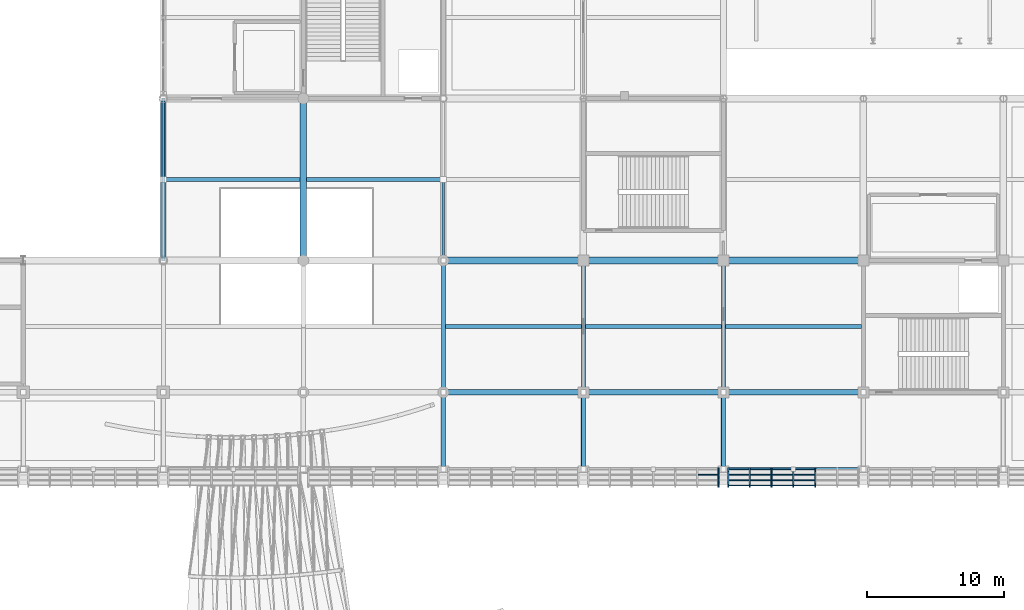
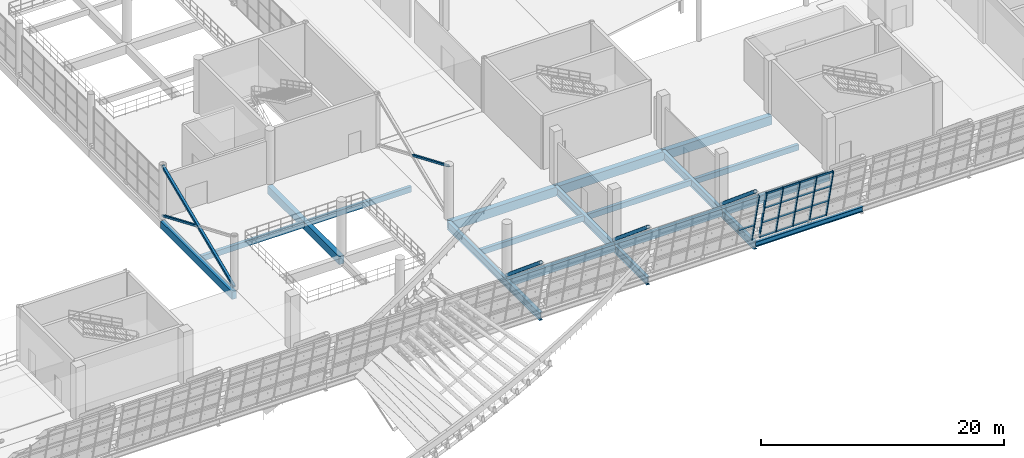
# One storey, part 48 of 175: 29 members, 17 beams, 2 elements without a shape of their own.
"""IFC4 building model written with IfcOpenShell, lengths in metres."""

from ifc_helpers import new_model, si_unit, direction, frame, origin, origin_2d, place, context, subcontext, project, spatial, rectangle, hollow_rectangle, hollow_circle, i_section, extrude, material, material_profile, profile_set, type_object, element, aggregate, save


model = new_model("IFC4")

# Units and contexts
model_context = context("Model", 3, precision=1e-05, world=origin(), true_north=direction((0.0, 1.0)))
body_context = subcontext(model_context, "Body", "Model", "MODEL_VIEW")
ifc_project = project(units=[si_unit("LENGTHUNIT", "METRE"), si_unit("AREAUNIT", "SQUARE_METRE"), si_unit("VOLUMEUNIT", "CUBIC_METRE"), si_unit("PLANEANGLEUNIT", "RADIAN"), si_unit("MASSUNIT", "GRAM", prefix="KILO")], contexts=[model_context])

# Site, building, storey
site_placement = place(None, origin())
site = spatial("IfcSite", under=ifc_project, at=site_placement, CompositionType="ELEMENT")
building_placement = place(site_placement, origin())
building = spatial("IfcBuilding", under=site, at=building_placement, Name="Brelvane Convention Centre", CompositionType="ELEMENT")
storey_placement = place(building_placement, frame((0.0, 0.0, 5.39990234375)))
storey = spatial("IfcBuildingStorey", under=building, at=storey_placement, Name="L01", CompositionType="ELEMENT", Elevation=5.39990234375)

# Curtain wall, member
ifc_material_1 = material(Name="Anodised Aluminium Alloy 6063-T6", Category="aluminium")
curtain_wall_type = type_object("IfcCurtainWallType", Name="Curtain Wall CW-HULL-S", PredefinedType="USERDEFINED", material=ifc_material_1)
curtain_wall_1_placement = place(storey_placement, origin())
curtain_wall_1 = element("IfcCurtainWall", 1, at=curtain_wall_1_placement, inside=storey, type_object=curtain_wall_type, Name="Curtain Wall CW-HULL-S L01-HULL-S-L01-18", ObjectType="UNITISED", PredefinedType="USERDEFINED")
ifc_material_2 = material(Name="Anodised Aluminium Alloy 6063-T6", Category="aluminium")
ifc_material_profile_1 = material_profile(ifc_material_2, hollow_rectangle(XDim=0.080078125, YDim=0.239990234375, WallThickness=0.006103515625, InnerFilletRadius=0.006103515625, OuterFilletRadius=0.011962890625, at=origin_2d()), Name="ALU-M 240x80x6.0")
ifc_profile_set_1 = profile_set([ifc_material_profile_1], Name="Anodised Aluminium Alloy 6063-T6")
member_type_1 = type_object("IfcMemberType", Name="Curtain Mullion CW-M1", PredefinedType="MULLION", material=ifc_profile_set_1)
member_1_placement = place(storey_placement, frame((183.239990234375, 13.60009765625, 0.0), z_axis=(0.0, -0.228360162456, 0.973576723326), x_axis=(1.0, 0.0, 0.0)))
member_1 = element("IfcMember", 2, at=member_1_placement, type_object=member_type_1, Name="CW-HULL-S mullion 7", PredefinedType="MULLION", context=body_context, shape_type="SweptSolid", body=[
    extrude(hollow_rectangle(XDim=0.080078125, YDim=0.239990234375, WallThickness=0.006103515625, InnerFilletRadius=0.006103515625, OuterFilletRadius=0.011962890625, at=origin_2d()), origin(), (0.0, 0.0, 1.0), 5.2900390625),
])

# Curtain wall, members
curtain_wall_2_placement = place(storey_placement, origin())
curtain_wall_2 = element("IfcCurtainWall", 3, at=curtain_wall_2_placement, inside=storey, type_object=curtain_wall_type, Name="Curtain Wall CW-HULL-S L01-HULL-S-L01-19", ObjectType="UNITISED", PredefinedType="USERDEFINED")
member_2_placement = place(storey_placement, frame((183.9599609375, 13.60009765625, 0.0), z_axis=(0.0, -0.228360162456, 0.973576723326), x_axis=(1.0, 0.0, 0.0)))
member_2 = element("IfcMember", 4, at=member_2_placement, type_object=member_type_1, Name="CW-HULL-S mullion 1", PredefinedType="MULLION", context=body_context, shape_type="SweptSolid", body=[
    extrude(hollow_rectangle(XDim=0.080078125, YDim=0.239990234375, WallThickness=0.006103515625, InnerFilletRadius=0.006103515625, OuterFilletRadius=0.011962890625, at=origin_2d()), origin(), (0.0, 0.0, 1.0), 5.2900390625),
])
member_3_placement = place(storey_placement, frame((185.513427734375, 13.60009765625, 0.0), z_axis=(0.0, -0.228360162456, 0.973576723326), x_axis=(1.0, 0.0, 0.0)))
member_3 = element("IfcMember", 5, at=member_3_placement, type_object=member_type_1, Name="CW-HULL-S mullion 2", PredefinedType="MULLION", context=body_context, shape_type="SweptSolid", body=[
    extrude(hollow_rectangle(XDim=0.080078125, YDim=0.239990234375, WallThickness=0.006103515625, InnerFilletRadius=0.006103515625, OuterFilletRadius=0.011962890625, at=origin_2d()), origin(), (0.0, 0.0, 1.0), 5.2900390625),
])
member_4_placement = place(storey_placement, frame((187.106689453125, 13.60009765625, 0.0), z_axis=(0.0, -0.228360162456, 0.973576723326), x_axis=(1.0, 0.0, 0.0)))
member_4 = element("IfcMember", 6, at=member_4_placement, type_object=member_type_1, Name="CW-HULL-S mullion 3", PredefinedType="MULLION", context=body_context, shape_type="SweptSolid", body=[
    extrude(hollow_rectangle(XDim=0.080078125, YDim=0.239990234375, WallThickness=0.006103515625, InnerFilletRadius=0.006103515625, OuterFilletRadius=0.011962890625, at=origin_2d()), origin(), (0.0, 0.0, 1.0), 5.2900390625),
])
member_5_placement = place(storey_placement, frame((188.699951171875, 13.60009765625, 0.0), z_axis=(0.0, -0.228360162456, 0.973576723326), x_axis=(1.0, 0.0, 0.0)))
member_5 = element("IfcMember", 7, at=member_5_placement, type_object=member_type_1, Name="CW-HULL-S mullion 4", PredefinedType="MULLION", context=body_context, shape_type="SweptSolid", body=[
    extrude(hollow_rectangle(XDim=0.080078125, YDim=0.239990234375, WallThickness=0.006103515625, InnerFilletRadius=0.006103515625, OuterFilletRadius=0.011962890625, at=origin_2d()), origin(), (0.0, 0.0, 1.0), 5.2900390625),
])
member_6_placement = place(storey_placement, frame((190.293212890625, 13.60009765625, 0.0), z_axis=(0.0, -0.228360162456, 0.973576723326), x_axis=(1.0, 0.0, 0.0)))
member_6 = element("IfcMember", 8, at=member_6_placement, type_object=member_type_1, Name="CW-HULL-S mullion 5", PredefinedType="MULLION", context=body_context, shape_type="SweptSolid", body=[
    extrude(hollow_rectangle(XDim=0.080078125, YDim=0.239990234375, WallThickness=0.006103515625, InnerFilletRadius=0.006103515625, OuterFilletRadius=0.011962890625, at=origin_2d()), origin(), (0.0, 0.0, 1.0), 5.2900390625),
])

# Member
ifc_material_3 = material(Name="Anodised Aluminium Alloy 6063-T6", Category="aluminium")
ifc_material_profile_2 = material_profile(ifc_material_3, hollow_rectangle(XDim=0.080078125, YDim=0.179931640625, WallThickness=0.0048828125, InnerFilletRadius=0.0048828125, OuterFilletRadius=0.010009765625, at=origin_2d()), Name="ALU-T 180x80x5.0")
ifc_profile_set_2 = profile_set([ifc_material_profile_2], Name="Anodised Aluminium Alloy 6063-T6")
member_type_2 = type_object("IfcMemberType", Name="Curtain Transom CW-T1", PredefinedType="USERDEFINED", material=ifc_profile_set_2)
member_7_placement = place(storey_placement, frame((181.7265625, 13.197265625, 1.716796875), z_axis=(1.0, 0.0, 0.0), x_axis=(0.0, 1.0, 0.0)))
member_7 = element("IfcMember", 9, at=member_7_placement, type_object=member_type_2, Name="CW-HULL-S transom 6.2", ObjectType="TRANSOM", PredefinedType="USERDEFINED", context=body_context, shape_type="SweptSolid", body=[
    extrude(hollow_rectangle(XDim=0.080078125, YDim=0.179931640625, WallThickness=0.0048828125, InnerFilletRadius=0.0048828125, OuterFilletRadius=0.010009765625, at=origin_2d()), origin(), (0.0, 0.0, 1.0), 1.473388671875),
])

aggregate(curtain_wall_1, [member_1, member_7])

member_8_placement = place(storey_placement, frame((184.0, 13.590576171875, 0.0400390625), z_axis=(1.0, 0.0, 0.0), x_axis=(0.0, 1.0, 0.0)))
member_8 = element("IfcMember", 10, at=member_8_placement, type_object=member_type_2, Name="CW-HULL-S transom 1.1", ObjectType="TRANSOM", PredefinedType="USERDEFINED", context=body_context, shape_type="SweptSolid", body=[
    extrude(hollow_rectangle(XDim=0.080078125, YDim=0.179931640625, WallThickness=0.0048828125, InnerFilletRadius=0.0048828125, OuterFilletRadius=0.010009765625, at=origin_2d()), origin(), (0.0, 0.0, 1.0), 1.473388671875),
])

member_9_placement = place(storey_placement, frame((184.0, 13.197265625, 1.716796875), z_axis=(1.0, 0.0, 0.0), x_axis=(0.0, 1.0, 0.0)))
member_9 = element("IfcMember", 11, at=member_9_placement, type_object=member_type_2, Name="CW-HULL-S transom 1.2", ObjectType="TRANSOM", PredefinedType="USERDEFINED", context=body_context, shape_type="SweptSolid", body=[
    extrude(hollow_rectangle(XDim=0.080078125, YDim=0.179931640625, WallThickness=0.0048828125, InnerFilletRadius=0.0048828125, OuterFilletRadius=0.010009765625, at=origin_2d()), origin(), (0.0, 0.0, 1.0), 1.473388671875),
])

member_10_placement = place(storey_placement, frame((184.0, 12.794677734375, 3.433349609375), z_axis=(1.0, 0.0, 0.0), x_axis=(0.0, 1.0, 0.0)))
member_10 = element("IfcMember", 12, at=member_10_placement, type_object=member_type_2, Name="CW-HULL-S transom 1.3", ObjectType="TRANSOM", PredefinedType="USERDEFINED", context=body_context, shape_type="SweptSolid", body=[
    extrude(hollow_rectangle(XDim=0.080078125, YDim=0.179931640625, WallThickness=0.0048828125, InnerFilletRadius=0.0048828125, OuterFilletRadius=0.010009765625, at=origin_2d()), origin(), (0.0, 0.0, 1.0), 1.473388671875),
])

member_11_placement = place(storey_placement, frame((184.0, 12.4013671875, 5.110107421875), z_axis=(1.0, 0.0, 0.0), x_axis=(0.0, 1.0, 0.0)))
member_11 = element("IfcMember", 13, at=member_11_placement, type_object=member_type_2, Name="CW-HULL-S transom 1.4", ObjectType="TRANSOM", PredefinedType="USERDEFINED", context=body_context, shape_type="SweptSolid", body=[
    extrude(hollow_rectangle(XDim=0.080078125, YDim=0.179931640625, WallThickness=0.0048828125, InnerFilletRadius=0.0048828125, OuterFilletRadius=0.010009765625, at=origin_2d()), origin(), (0.0, 0.0, 1.0), 1.473388671875),
])

member_12_placement = place(storey_placement, frame((185.55322265625, 13.590576171875, 0.0400390625), z_axis=(1.0, 0.0, 0.0), x_axis=(0.0, 1.0, 0.0)))
member_12 = element("IfcMember", 14, at=member_12_placement, type_object=member_type_2, Name="CW-HULL-S transom 2.1", ObjectType="TRANSOM", PredefinedType="USERDEFINED", context=body_context, shape_type="SweptSolid", body=[
    extrude(hollow_rectangle(XDim=0.080078125, YDim=0.179931640625, WallThickness=0.0048828125, InnerFilletRadius=0.0048828125, OuterFilletRadius=0.010009765625, at=origin_2d()), origin(), (0.0, 0.0, 1.0), 1.513427734375),
])

member_13_placement = place(storey_placement, frame((185.55322265625, 13.197265625, 1.716796875), z_axis=(1.0, 0.0, 0.0), x_axis=(0.0, 1.0, 0.0)))
member_13 = element("IfcMember", 15, at=member_13_placement, type_object=member_type_2, Name="CW-HULL-S transom 2.2", ObjectType="TRANSOM", PredefinedType="USERDEFINED", context=body_context, shape_type="SweptSolid", body=[
    extrude(hollow_rectangle(XDim=0.080078125, YDim=0.179931640625, WallThickness=0.0048828125, InnerFilletRadius=0.0048828125, OuterFilletRadius=0.010009765625, at=origin_2d()), origin(), (0.0, 0.0, 1.0), 1.513427734375),
])

member_14_placement = place(storey_placement, frame((185.55322265625, 12.794677734375, 3.433349609375), z_axis=(1.0, 0.0, 0.0), x_axis=(0.0, 1.0, 0.0)))
member_14 = element("IfcMember", 16, at=member_14_placement, type_object=member_type_2, Name="CW-HULL-S transom 2.3", ObjectType="TRANSOM", PredefinedType="USERDEFINED", context=body_context, shape_type="SweptSolid", body=[
    extrude(hollow_rectangle(XDim=0.080078125, YDim=0.179931640625, WallThickness=0.0048828125, InnerFilletRadius=0.0048828125, OuterFilletRadius=0.010009765625, at=origin_2d()), origin(), (0.0, 0.0, 1.0), 1.513427734375),
])

member_15_placement = place(storey_placement, frame((185.55322265625, 12.4013671875, 5.110107421875), z_axis=(1.0, 0.0, 0.0), x_axis=(0.0, 1.0, 0.0)))
member_15 = element("IfcMember", 17, at=member_15_placement, type_object=member_type_2, Name="CW-HULL-S transom 2.4", ObjectType="TRANSOM", PredefinedType="USERDEFINED", context=body_context, shape_type="SweptSolid", body=[
    extrude(hollow_rectangle(XDim=0.080078125, YDim=0.179931640625, WallThickness=0.0048828125, InnerFilletRadius=0.0048828125, OuterFilletRadius=0.010009765625, at=origin_2d()), origin(), (0.0, 0.0, 1.0), 1.513427734375),
])

member_16_placement = place(storey_placement, frame((187.146728515625, 13.590576171875, 0.0400390625), z_axis=(1.0, 0.0, 0.0), x_axis=(0.0, 1.0, 0.0)))
member_16 = element("IfcMember", 18, at=member_16_placement, type_object=member_type_2, Name="CW-HULL-S transom 3.1", ObjectType="TRANSOM", PredefinedType="USERDEFINED", context=body_context, shape_type="SweptSolid", body=[
    extrude(hollow_rectangle(XDim=0.080078125, YDim=0.179931640625, WallThickness=0.0048828125, InnerFilletRadius=0.0048828125, OuterFilletRadius=0.010009765625, at=origin_2d()), origin(), (0.0, 0.0, 1.0), 1.51318359375),
])

member_17_placement = place(storey_placement, frame((187.146728515625, 13.197265625, 1.716796875), z_axis=(1.0, 0.0, 0.0), x_axis=(0.0, 1.0, 0.0)))
member_17 = element("IfcMember", 19, at=member_17_placement, type_object=member_type_2, Name="CW-HULL-S transom 3.2", ObjectType="TRANSOM", PredefinedType="USERDEFINED", context=body_context, shape_type="SweptSolid", body=[
    extrude(hollow_rectangle(XDim=0.080078125, YDim=0.179931640625, WallThickness=0.0048828125, InnerFilletRadius=0.0048828125, OuterFilletRadius=0.010009765625, at=origin_2d()), origin(), (0.0, 0.0, 1.0), 1.51318359375),
])

member_18_placement = place(storey_placement, frame((187.146728515625, 12.794677734375, 3.433349609375), z_axis=(1.0, 0.0, 0.0), x_axis=(0.0, 1.0, 0.0)))
member_18 = element("IfcMember", 20, at=member_18_placement, type_object=member_type_2, Name="CW-HULL-S transom 3.3", ObjectType="TRANSOM", PredefinedType="USERDEFINED", context=body_context, shape_type="SweptSolid", body=[
    extrude(hollow_rectangle(XDim=0.080078125, YDim=0.179931640625, WallThickness=0.0048828125, InnerFilletRadius=0.0048828125, OuterFilletRadius=0.010009765625, at=origin_2d()), origin(), (0.0, 0.0, 1.0), 1.51318359375),
])

member_19_placement = place(storey_placement, frame((187.146728515625, 12.4013671875, 5.110107421875), z_axis=(1.0, 0.0, 0.0), x_axis=(0.0, 1.0, 0.0)))
member_19 = element("IfcMember", 21, at=member_19_placement, type_object=member_type_2, Name="CW-HULL-S transom 3.4", ObjectType="TRANSOM", PredefinedType="USERDEFINED", context=body_context, shape_type="SweptSolid", body=[
    extrude(hollow_rectangle(XDim=0.080078125, YDim=0.179931640625, WallThickness=0.0048828125, InnerFilletRadius=0.0048828125, OuterFilletRadius=0.010009765625, at=origin_2d()), origin(), (0.0, 0.0, 1.0), 1.51318359375),
])

member_20_placement = place(storey_placement, frame((188.739990234375, 13.590576171875, 0.0400390625), z_axis=(1.0, 0.0, 0.0), x_axis=(0.0, 1.0, 0.0)))
member_20 = element("IfcMember", 22, at=member_20_placement, type_object=member_type_2, Name="CW-HULL-S transom 4.1", ObjectType="TRANSOM", PredefinedType="USERDEFINED", context=body_context, shape_type="SweptSolid", body=[
    extrude(hollow_rectangle(XDim=0.080078125, YDim=0.179931640625, WallThickness=0.0048828125, InnerFilletRadius=0.0048828125, OuterFilletRadius=0.010009765625, at=origin_2d()), origin(), (0.0, 0.0, 1.0), 1.513427734375),
])

member_21_placement = place(storey_placement, frame((188.739990234375, 13.197265625, 1.716796875), z_axis=(1.0, 0.0, 0.0), x_axis=(0.0, 1.0, 0.0)))
member_21 = element("IfcMember", 23, at=member_21_placement, type_object=member_type_2, Name="CW-HULL-S transom 4.2", ObjectType="TRANSOM", PredefinedType="USERDEFINED", context=body_context, shape_type="SweptSolid", body=[
    extrude(hollow_rectangle(XDim=0.080078125, YDim=0.179931640625, WallThickness=0.0048828125, InnerFilletRadius=0.0048828125, OuterFilletRadius=0.010009765625, at=origin_2d()), origin(), (0.0, 0.0, 1.0), 1.513427734375),
])

member_22_placement = place(storey_placement, frame((188.739990234375, 12.794677734375, 3.433349609375), z_axis=(1.0, 0.0, 0.0), x_axis=(0.0, 1.0, 0.0)))
member_22 = element("IfcMember", 24, at=member_22_placement, type_object=member_type_2, Name="CW-HULL-S transom 4.3", ObjectType="TRANSOM", PredefinedType="USERDEFINED", context=body_context, shape_type="SweptSolid", body=[
    extrude(hollow_rectangle(XDim=0.080078125, YDim=0.179931640625, WallThickness=0.0048828125, InnerFilletRadius=0.0048828125, OuterFilletRadius=0.010009765625, at=origin_2d()), origin(), (0.0, 0.0, 1.0), 1.513427734375),
])

member_23_placement = place(storey_placement, frame((188.739990234375, 12.4013671875, 5.110107421875), z_axis=(1.0, 0.0, 0.0), x_axis=(0.0, 1.0, 0.0)))
member_23 = element("IfcMember", 25, at=member_23_placement, type_object=member_type_2, Name="CW-HULL-S transom 4.4", ObjectType="TRANSOM", PredefinedType="USERDEFINED", context=body_context, shape_type="SweptSolid", body=[
    extrude(hollow_rectangle(XDim=0.080078125, YDim=0.179931640625, WallThickness=0.0048828125, InnerFilletRadius=0.0048828125, OuterFilletRadius=0.010009765625, at=origin_2d()), origin(), (0.0, 0.0, 1.0), 1.513427734375),
])

aggregate(curtain_wall_2, [member_2, member_3, member_4, member_5, member_6, member_8, member_9, member_10, member_11, member_12, member_13, member_14, member_15, member_16, member_17, member_18, member_19, member_20, member_21, member_22, member_23])

# Beams
ifc_material_4 = material(Name="Concrete M40", Category="concrete")
ifc_material_profile_3 = material_profile(ifc_material_4, rectangle(XDim=0.5, YDim=0.89990234375, at=origin_2d()), Name="RC 500x900")
ifc_profile_set_3 = profile_set([ifc_material_profile_3], Name="Concrete M40")
beam_type_1 = type_object("IfcBeamType", Name="RC Beam B-RC4 (RC 500x900)", PredefinedType="BEAM", material=ifc_profile_set_3)
beam_1_placement = place(storey_placement, frame((163.199951171875, 28.800048828125, -0.77001953125), z_axis=(1.0, 0.0, 0.0), x_axis=(0.0, 1.0, 0.0)))
element("IfcBeam", 26, at=beam_1_placement, inside=storey, type_object=beam_type_1, Name="L01 Beam 17-18/D", PredefinedType="BEAM", context=body_context, shape_type="SweptSolid", body=[
    extrude(rectangle(XDim=0.5, YDim=0.89990234375, at=origin_2d()), origin(), (0.0, 0.0, 1.0), 10.199951171875),
])
beam_2_placement = place(storey_placement, frame((173.39990234375, 28.800048828125, -0.77001953125), z_axis=(1.0, 0.0, 0.0), x_axis=(0.0, 1.0, 0.0)))
element("IfcBeam", 27, at=beam_2_placement, inside=storey, type_object=beam_type_1, Name="L01 Beam 18-19/D", PredefinedType="BEAM", context=body_context, shape_type="SweptSolid", body=[
    extrude(rectangle(XDim=0.5, YDim=0.89990234375, at=origin_2d()), origin(), (0.0, 0.0, 1.0), 10.2001953125),
])
beam_3_placement = place(storey_placement, frame((183.60009765625, 28.800048828125, -0.77001953125), z_axis=(1.0, 0.0, 0.0), x_axis=(0.0, 1.0, 0.0)))
element("IfcBeam", 28, at=beam_3_placement, inside=storey, type_object=beam_type_1, Name="L01 Beam 19-20/D", PredefinedType="BEAM", context=body_context, shape_type="SweptSolid", body=[
    extrude(rectangle(XDim=0.5, YDim=0.89990234375, at=origin_2d()), origin(), (0.0, 0.0, 1.0), 10.199951171875),
])
ifc_material_5 = material(Name="Concrete M40", Category="concrete")
ifc_material_profile_4 = material_profile(ifc_material_5, rectangle(XDim=0.449951171875, YDim=0.800048828125, at=origin_2d()), Name="RC 450x800")
ifc_profile_set_4 = profile_set([ifc_material_profile_4], Name="Concrete M40")
beam_type_2 = type_object("IfcBeamType", Name="RC Beam B-RC5 (RC 450x800)", PredefinedType="BEAM", material=ifc_profile_set_4)
beam_4_placement = place(storey_placement, frame((153.0, 28.800048828125, -0.699951171875), z_axis=(0.0, 1.0, 0.0), x_axis=(-1.0, 0.0, 0.0)))
element("IfcBeam", 29, at=beam_4_placement, inside=storey, type_object=beam_type_2, Name="L01 Girder 16/D-E", PredefinedType="BEAM", context=body_context, shape_type="SweptSolid", body=[
    extrude(rectangle(XDim=0.449951171875, YDim=0.800048828125, at=origin_2d()), origin(), (0.0, 0.0, 1.0), 11.800048828125),
])
ifc_material_6 = material(Name="Concrete M40", Category="concrete")
ifc_material_profile_5 = material_profile(ifc_material_6, rectangle(XDim=0.300048828125, YDim=0.550048828125, at=origin_2d()), Name="RC 300x550")
ifc_profile_set_5 = profile_set([ifc_material_profile_5], Name="Concrete M40")
beam_type_3 = type_object("IfcBeamType", Name="RC Joist J-RC1 (RC 300x550)", PredefinedType="JOIST", material=ifc_profile_set_5)
for number, where, z_axis, x_axis, name in (
    (30, (143.0, 34.699951171875, -0.574951171875), (1.0, 0.0, 0.0), (0.0, 1.0, 0.0), "L01 Secondary Joist 15-16/DE"),
    (31, (153.22509765625, 34.699951171875, -0.574951171875), (1.0, 0.0, 0.0), (0.0, 1.0, 0.0), "L01 Secondary Joist 16-17/DE"),
):
    element("IfcBeam", number, at=place(storey_placement, frame(where, z_axis=z_axis, x_axis=x_axis)), inside=storey, type_object=beam_type_3, Name=name, PredefinedType="JOIST", context=body_context, shape_type="SweptSolid", body=[
        extrude(rectangle(XDim=0.300048828125, YDim=0.550048828125, at=origin_2d()), origin(), (0.0, 0.0, 1.0), 9.77490234375),
    ])
for number, where, z_axis, x_axis, name in (
    (32, (163.35009765625, 24.0, -0.594970703125), (1.0, 0.0, 0.0), (0.0, 1.0, 0.0), "L01 Secondary Joist 17-18/CD"),
    (33, (173.550048828125, 24.0, -0.594970703125), (1.0, 0.0, 0.0), (0.0, 1.0, 0.0), "L01 Secondary Joist 18-19/CD"),
    (34, (183.75, 24.0, -0.594970703125), (1.0, 0.0, 0.0), (0.0, 1.0, 0.0), "L01 Secondary Joist 19-20/CD"),
):
    element("IfcBeam", number, at=place(storey_placement, frame(where, z_axis=z_axis, x_axis=x_axis)), inside=storey, type_object=beam_type_3, Name=name, PredefinedType="JOIST", context=body_context, shape_type="SweptSolid", body=[
        extrude(rectangle(XDim=0.300048828125, YDim=0.550048828125, at=origin_2d()), origin(), (0.0, 0.0, 1.0), 9.89990234375),
    ])
ifc_material_7 = material(Name="Concrete M40", Category="concrete")
ifc_material_profile_6 = material_profile(ifc_material_7, rectangle(XDim=0.39990234375, YDim=0.75, at=origin_2d()), Name="RC 400x750")
ifc_profile_set_6 = profile_set([ifc_material_profile_6], Name="Concrete M40")
beam_type_4 = type_object("IfcBeamType", Name="RC Spandrel SP-RC1 (RC 400x750)", PredefinedType="SPANDREL", material=ifc_profile_set_6)
beam_5_placement = place(storey_placement, frame((163.199951171875, 19.199951171875, -0.69482421875), z_axis=(1.0, 0.0, 0.0), x_axis=(0.0, 1.0, 0.0)))
element("IfcBeam", 35, at=beam_5_placement, inside=storey, type_object=beam_type_4, Name="L01 Beam 17-18/C", PredefinedType="SPANDREL", context=body_context, shape_type="SweptSolid", body=[
    extrude(rectangle(XDim=0.39990234375, YDim=0.75, at=origin_2d()), origin(), (0.0, 0.0, 1.0), 10.199951171875),
])
beam_6_placement = place(storey_placement, frame((173.39990234375, 19.199951171875, -0.69482421875), z_axis=(1.0, 0.0, 0.0), x_axis=(0.0, 1.0, 0.0)))
element("IfcBeam", 36, at=beam_6_placement, inside=storey, type_object=beam_type_4, Name="L01 Beam 18-19/C", PredefinedType="SPANDREL", context=body_context, shape_type="SweptSolid", body=[
    extrude(rectangle(XDim=0.39990234375, YDim=0.75, at=origin_2d()), origin(), (0.0, 0.0, 1.0), 10.2001953125),
])
beam_7_placement = place(storey_placement, frame((183.60009765625, 19.199951171875, -0.69482421875), z_axis=(1.0, 0.0, 0.0), x_axis=(0.0, 1.0, 0.0)))
element("IfcBeam", 37, at=beam_7_placement, inside=storey, type_object=beam_type_4, Name="L01 Beam 19-20/C", PredefinedType="SPANDREL", context=body_context, shape_type="SweptSolid", body=[
    extrude(rectangle(XDim=0.39990234375, YDim=0.75, at=origin_2d()), origin(), (0.0, 0.0, 1.0), 10.199951171875),
])
beam_8_placement = place(storey_placement, frame((142.800048828125, 28.800048828125, -0.6748046875), z_axis=(0.0, 1.0, 0.0), x_axis=(-1.0, 0.0, 0.0)))
element("IfcBeam", 38, at=beam_8_placement, inside=storey, type_object=beam_type_4, Name="L01 Girder 15/D-E", PredefinedType="SPANDREL", context=body_context, shape_type="SweptSolid", body=[
    extrude(rectangle(XDim=0.39990234375, YDim=0.75, at=origin_2d()), origin(), (0.0, 0.0, 1.0), 11.800048828125),
])
ifc_material_8 = material(Name="Steel E450 (450 MPa)", Category="steel")
ifc_material_profile_7 = material_profile(ifc_material_8, i_section(OverallWidth=0.300048828125, OverallDepth=0.800048828125, WebThickness=0.015380859375, FlangeThickness=0.030029296875, FilletRadius=0.027099609375, at=origin_2d()), Name="NPB 800x300")
ifc_profile_set_7 = profile_set([ifc_material_profile_7], Name="Steel E450 (450 MPa)")
beam_type_5 = type_object("IfcBeamType", Name="Steel Beam B-ST2 (NPB 800x300)", PredefinedType="BEAM", material=ifc_profile_set_7)
for number, where, z_axis, x_axis, name in (
    (39, (163.199951171875, 13.60009765625, -0.719970703125), (0.0, 1.0, 0.0), (-1.0, 0.0, 0.0), "L01 Hull Cantilever Girder 17"),
    (40, (173.39990234375, 13.60009765625, -0.719970703125), (0.0, 1.0, 0.0), (-1.0, 0.0, 0.0), "L01 Hull Cantilever Girder 18"),
    (41, (183.60009765625, 13.60009765625, -0.719970703125), (0.0, 1.0, 0.0), (-1.0, 0.0, 0.0), "L01 Hull Cantilever Girder 19"),
):
    element("IfcBeam", number, at=place(storey_placement, frame(where, z_axis=z_axis, x_axis=x_axis)), inside=storey, type_object=beam_type_5, Name=name, PredefinedType="BEAM", context=body_context, shape_type="SweptSolid", body=[
        extrude(i_section(OverallWidth=0.300048828125, OverallDepth=0.800048828125, WebThickness=0.015380859375, FlangeThickness=0.030029296875, FilletRadius=0.027099609375, at=origin_2d()), origin(), (0.0, 0.0, 1.0), 15.199951171875),
    ])

# Members
ifc_material_9 = material(Name="Steel E350 (350 MPa)", Category="steel")
ifc_material_profile_8 = material_profile(ifc_material_9, hollow_rectangle(XDim=0.25, YDim=0.25, WallThickness=0.012451171875, InnerFilletRadius=0.012451171875, OuterFilletRadius=0.02490234375, at=origin_2d()), Name="SHS 250x250x12.5")
ifc_profile_set_8 = profile_set([ifc_material_profile_8], Name="Steel E350 (350 MPa)")
member_type_3 = type_object("IfcMemberType", Name="Steel Brace BR-ST2 (SHS 250x250x12.5)", PredefinedType="BRACE", material=ifc_profile_set_8)
member_24_placement = place(storey_placement, frame((142.800048828125, 28.800048828125, 0.2001953125), z_axis=(0.0, 0.920752300623, 0.390147665503), x_axis=(-1.0, 0.0, 0.0)))
element("IfcMember", 42, at=member_24_placement, inside=storey, type_object=member_type_3, Name="Lateral X-Brace Continuous V1E-1-L01-A", PredefinedType="BRACE", context=body_context, shape_type="SweptSolid", body=[
    extrude(hollow_rectangle(XDim=0.25, YDim=0.25, WallThickness=0.012451171875, InnerFilletRadius=0.012451171875, OuterFilletRadius=0.02490234375, at=origin_2d()), origin(), (0.0, 0.0, 1.0), 12.815673828125),
])
ifc_material_10 = material(Name="Steel E350 (350 MPa)", Category="steel")
ifc_material_profile_9 = material_profile(ifc_material_10, hollow_rectangle(XDim=0.199951171875, YDim=0.199951171875, WallThickness=0.010009765625, InnerFilletRadius=0.010009765625, OuterFilletRadius=0.02001953125, at=origin_2d()), Name="SHS 200x200x10.0")
ifc_profile_set_9 = profile_set([ifc_material_profile_9], Name="Steel E350 (350 MPa)")
member_type_4 = type_object("IfcMemberType", Name="Steel Brace BR-ST3 (SHS 200x200x10.0)", PredefinedType="BRACE", material=ifc_profile_set_9)
member_25_placement = place(storey_placement, frame((142.800048828125, 40.60009765625, 0.2001953125), z_axis=(0.0, -0.920755200274, 0.390140822229), x_axis=(1.0, 0.0, 0.0)))
element("IfcMember", 43, at=member_25_placement, inside=storey, type_object=member_type_4, Name="Lateral X-Brace Split Lower V1E-1-L01-B1", PredefinedType="BRACE", context=body_context, shape_type="SweptSolid", body=[
    extrude(hollow_rectangle(XDim=0.199951171875, YDim=0.199951171875, WallThickness=0.010009765625, InnerFilletRadius=0.010009765625, OuterFilletRadius=0.02001953125, at=origin_2d()), origin(), (0.0, 0.0, 1.0), 6.407958984375),
])
member_26_placement = place(storey_placement, frame((163.199951171875, 34.699951171875, 2.7001953125), z_axis=(0.0, -0.92074940082, 0.390154508996), x_axis=(1.0, 0.0, 0.0)))
element("IfcMember", 44, at=member_26_placement, inside=storey, type_object=member_type_4, Name="Lateral X-Brace Split Upper V2W-1-L01-B2", PredefinedType="BRACE", context=body_context, shape_type="SweptSolid", body=[
    extrude(hollow_rectangle(XDim=0.199951171875, YDim=0.199951171875, WallThickness=0.010009765625, InnerFilletRadius=0.010009765625, OuterFilletRadius=0.02001953125, at=origin_2d()), origin(), (0.0, 0.0, 1.0), 6.40771484375),
])

# Beam
ifc_material_11 = material(Name="Steel E350 (350 MPa)", Category="steel")
ifc_material_profile_10 = material_profile(ifc_material_11, i_section(OverallWidth=0.25, OverallDepth=0.5, WebThickness=0.010009765625, FlangeThickness=0.0146484375, FilletRadius=0.01611328125, at=origin_2d()), Name="ISWB 500")
ifc_profile_set_10 = profile_set([ifc_material_profile_10], Name="Steel E350 (350 MPa)")
beam_type_6 = type_object("IfcBeamType", Name="Steel Spandrel SP-ST1 (ISWB 500)", PredefinedType="SPANDREL", material=ifc_profile_set_10)
beam_9_placement = place(storey_placement, frame((183.60009765625, 13.60009765625, -0.56982421875), z_axis=(1.0, 0.0, 0.0), x_axis=(0.0, 1.0, 0.0)))
element("IfcBeam", 45, at=beam_9_placement, inside=storey, type_object=beam_type_6, Name="L01 Hull Overhang Edge Spandrel 19", PredefinedType="SPANDREL", context=body_context, shape_type="SweptSolid", body=[
    extrude(i_section(OverallWidth=0.25, OverallDepth=0.5, WebThickness=0.010009765625, FlangeThickness=0.0146484375, FilletRadius=0.01611328125, at=origin_2d()), origin(), (0.0, 0.0, 1.0), 10.199951171875),
])

# Members
ifc_material_12 = material(Name="Steel E450 (450 MPa)", Category="steel")
ifc_material_profile_11 = material_profile(ifc_material_12, hollow_circle(Radius=0.161865234375, WallThickness=0.012451171875, at=origin_2d()), Name="CHS 323.9x12.5")
ifc_profile_set_11 = profile_set([ifc_material_profile_11], Name="Steel E450 (450 MPa)")
member_type_5 = type_object("IfcMemberType", Name="Steel Strut HS-ST2 (CHS 323.9x12.5)", PredefinedType="STRUT", material=ifc_profile_set_11)
for number, where, z_axis, x_axis, name in (
    (46, (163.199951171875, 19.199951171875, 0.050048828125), (0.0, -0.767976969641, 0.640477457918), (1.0, 0.0, 0.0), "Hull Overhang Raked Strut L01 V1-17"),
    (47, (173.39990234375, 19.199951171875, 0.050048828125), (0.0, -0.767976969641, 0.640477457918), (1.0, 0.0, 0.0), "Hull Overhang Raked Strut L01 V1-18"),
    (48, (183.60009765625, 19.199951171875, 0.050048828125), (0.0, -0.767976969641, 0.640477457918), (1.0, 0.0, 0.0), "Hull Overhang Raked Strut L01 V1-19"),
):
    element("IfcMember", number, at=place(storey_placement, frame(where, z_axis=z_axis, x_axis=x_axis)), inside=storey, type_object=member_type_5, Name=name, PredefinedType="STRUT", context=body_context, shape_type="SweptSolid", body=[
        extrude(hollow_circle(Radius=0.161865234375, WallThickness=0.012451171875, at=origin_2d()), origin(), (0.0, 0.0, 1.0), 7.291748046875),
    ])

save(model, "model.ifc")
